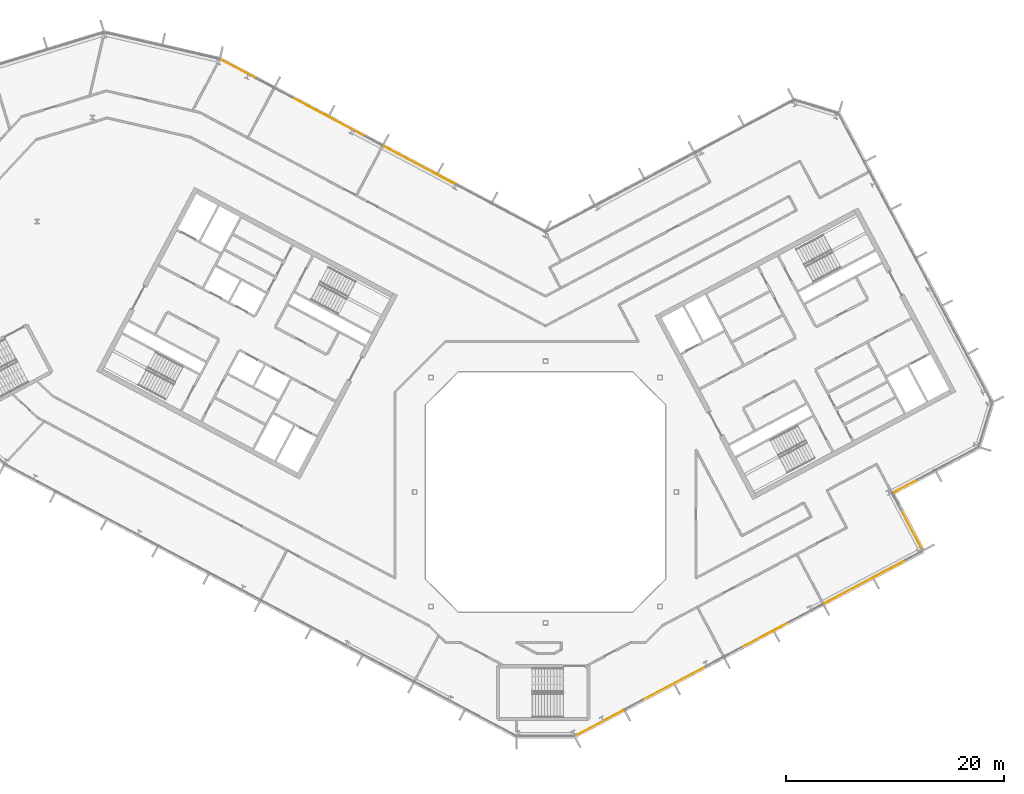
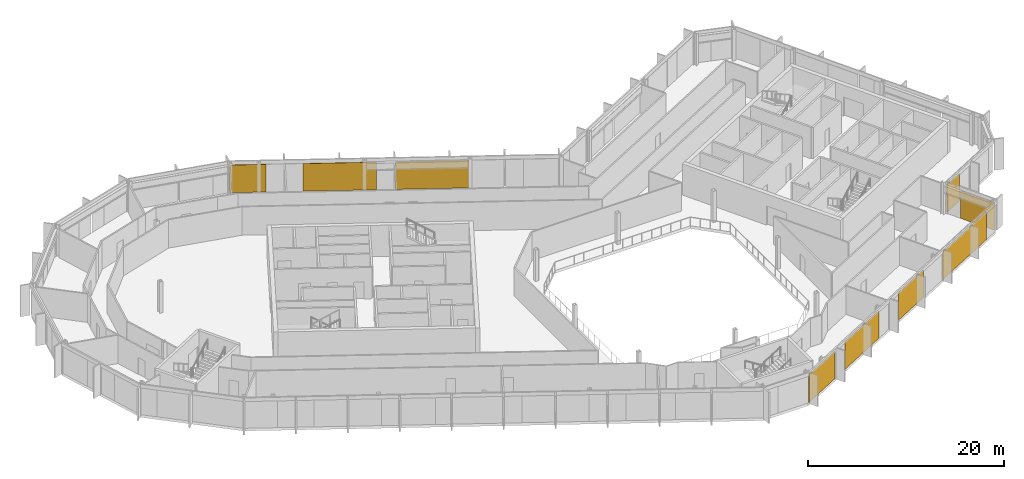
# One storey, part 24 of 26: 9 coverings, 4 elements without a shape of their own.
"""IFC4 building model written with IfcOpenShell, lengths in metres."""

from ifc_helpers import new_model, si_unit, direction, frame, origin, origin_2d, place, context, subcontext, project, spatial, rectangle, extrude, material, layer, layer_set, type_object, element, aggregate, save


model = new_model("IFC4")

# Units and contexts
model_context = context("Model", 3, precision=1e-05, world=origin(), true_north=direction((0.0, 1.0)))
body_context = subcontext(model_context, "Body", "Model", "MODEL_VIEW")
ifc_project = project(units=[si_unit("LENGTHUNIT", "METRE"), si_unit("AREAUNIT", "SQUARE_METRE"), si_unit("VOLUMEUNIT", "CUBIC_METRE"), si_unit("PLANEANGLEUNIT", "RADIAN"), si_unit("MASSUNIT", "GRAM", prefix="KILO")], contexts=[model_context])

# Site, building, storey
site_placement = place(None, origin())
site = spatial("IfcSite", under=ifc_project, at=site_placement, CompositionType="ELEMENT")
building_placement = place(site_placement, origin())
building = spatial("IfcBuilding", under=site, at=building_placement, Name="Cormorant Relay Tower", CompositionType="ELEMENT")
storey_placement = place(building_placement, frame((0.0, 0.0, 312.60009765625)))
storey = spatial("IfcBuildingStorey", under=building, at=storey_placement, Name="L71", CompositionType="ELEMENT", Elevation=312.60009765625)

# Curtain wall, coverings
ifc_material_1 = material(Name="Aluminium 6063-T6 anodised bronze", Category="aluminium")
ifc_layer_1 = layer(ifc_material_1, 0.199951171875)
ifc_layer_set_1 = layer_set([ifc_layer_1], Name="CW1 unitised bronze curtain wall with vertical fins")
curtain_wall_type = type_object("IfcCurtainWallType", Name="CW1 unitised bronze curtain wall with vertical fins", PredefinedType="NOTDEFINED", material=ifc_layer_set_1)
curtain_wall_1_placement = place(storey_placement, origin())
curtain_wall_1 = element("IfcCurtainWall", 1, at=curtain_wall_1_placement, inside=storey, type_object=curtain_wall_type, Name="CW1 curtain wall 2", PredefinedType="NOTDEFINED")
ifc_material_2 = material(Name="Pale bronze anodised aluminium insulated panel", Category="aluminium")
ifc_layer_2 = layer(ifc_material_2, 0.0400390625)
ifc_layer_set_2 = layer_set([ifc_layer_2], Name="CW1 pale bronze insulated panel 40")
covering_type = type_object("IfcCoveringType", Name="CW1 pale bronze insulated panel 40", PredefinedType="CLADDING", material=ifc_layer_set_2)
covering_1_placement = place(storey_placement, frame((4.939208984375, -21.180419921875, 0.0), z_axis=(0.0, 0.0, 1.0), x_axis=(0.882947592859, 0.469471562786, 0.0)))
covering_1 = element("IfcCovering", 2, at=covering_1_placement, type_object=covering_type, Name="CW1 panel S00", PredefinedType="CLADDING", context=body_context, shape_type="SweptSolid", body=[
    extrude(rectangle(XDim=5.0166015625, YDim=0.0400390625, at=origin_2d()), origin(), (0.0, 0.0, 1.0), 3.449951171875),
])
covering_2_placement = place(storey_placement, frame((11.78173828125, -17.5419921875, 0.0), z_axis=(0.0, 0.0, 1.0), x_axis=(0.882947592859, 0.469471562786, 0.0)))
covering_2 = element("IfcCovering", 3, at=covering_2_placement, type_object=covering_type, Name="CW1 panel S02", PredefinedType="CLADDING", context=body_context, shape_type="SweptSolid", body=[
    extrude(rectangle(XDim=6.5830078125, YDim=0.0400390625, at=origin_2d()), origin(), (0.0, 0.0, 1.0), 3.449951171875),
])
covering_3_placement = place(storey_placement, frame((20.11083984375, -13.113525390625, 0.0), z_axis=(0.0, 0.0, 1.0), x_axis=(0.882947592859, 0.469471562786, 0.0)))
covering_3 = element("IfcCovering", 4, at=covering_3_placement, type_object=covering_type, Name="CW1 panel S05", PredefinedType="CLADDING", context=body_context, shape_type="SweptSolid", body=[
    extrude(rectangle(XDim=4.783203125, YDim=0.0400390625, at=origin_2d()), origin(), (0.0, 0.0, 1.0), 3.449951171875),
])
covering_4_placement = place(storey_placement, frame((29.267578125, -8.244873046875, 0.0), z_axis=(0.0, 0.0, 1.0), x_axis=(0.882947592859, 0.469471562786, 0.0)))
covering_4 = element("IfcCovering", 5, at=covering_4_placement, type_object=covering_type, Name="CW1 panel S07", PredefinedType="CLADDING", context=body_context, shape_type="SweptSolid", body=[
    extrude(rectangle(XDim=8.4580078125, YDim=0.0400390625, at=origin_2d()), origin(), (0.0, 0.0, 1.0), 3.449951171875),
])
aggregate(curtain_wall_1, [covering_1, covering_2, covering_3, covering_4])

# Curtain wall, covering
curtain_wall_2_placement = place(storey_placement, origin())
curtain_wall_2 = element("IfcCurtainWall", 6, at=curtain_wall_2_placement, inside=storey, type_object=curtain_wall_type, Name="CW1 curtain wall 3", PredefinedType="NOTDEFINED")
covering_5_placement = place(storey_placement, frame((33.595703125, -3.5, 0.0), z_axis=(0.0, 0.0, 1.0), x_axis=(-0.469471562786, 0.882947592859, 0.0)))
covering_5 = element("IfcCovering", 7, at=covering_5_placement, type_object=covering_type, Name="CW1 panel S00", PredefinedType="CLADDING", context=body_context, shape_type="SweptSolid", body=[
    extrude(rectangle(XDim=4.125, YDim=0.0400390625, at=origin_2d()), origin(), (0.0, 0.0, 1.0), 3.449951171875),
])
aggregate(curtain_wall_2, [covering_5])

curtain_wall_3_placement = place(storey_placement, origin())
curtain_wall_3 = element("IfcCurtainWall", 8, at=curtain_wall_3_placement, inside=storey, type_object=curtain_wall_type, Name="CW1 curtain wall 4", PredefinedType="NOTDEFINED")
covering_6_placement = place(storey_placement, frame((32.9990234375, 0.53466796875, 0.0), z_axis=(0.0, 0.0, 1.0), x_axis=(0.882947592859, 0.469471562786, 0.0)))
covering_6 = element("IfcCovering", 9, at=covering_6_placement, type_object=covering_type, Name="CW1 panel S00", PredefinedType="CLADDING", context=body_context, shape_type="SweptSolid", body=[
    extrude(rectangle(XDim=2.47509765625, YDim=0.0400390625, at=origin_2d()), origin(), (0.0, 0.0, 1.0), 3.449951171875),
])
aggregate(curtain_wall_3, [covering_6])

# Curtain wall, coverings
curtain_wall_4_placement = place(storey_placement, origin())
curtain_wall_4 = element("IfcCurtainWall", 10, at=curtain_wall_4_placement, inside=storey, type_object=curtain_wall_type, Name="CW1 curtain wall 9", PredefinedType="NOTDEFINED")
covering_7_placement = place(storey_placement, frame((-11.537841796875, 29.94140625, 0.0), z_axis=(0.0, 0.0, 1.0), x_axis=(-0.882947592859, 0.469471562786, 0.0)))
covering_7 = element("IfcCovering", 11, at=covering_7_placement, type_object=covering_type, Name="CW1 panel S03", PredefinedType="CLADDING", context=body_context, shape_type="SweptSolid", body=[
    extrude(rectangle(XDim=7.528076171875, YDim=0.0400390625, at=origin_2d()), origin(), (0.0, 0.0, 1.0), 3.449951171875),
])
covering_8_placement = place(storey_placement, frame((-19.906494140625, 34.39111328125, 0.0), z_axis=(0.0, 0.0, 1.0), x_axis=(-0.882947592859, 0.469471562786, 0.0)))
covering_8 = element("IfcCovering", 12, at=covering_8_placement, type_object=covering_type, Name="CW1 panel S05", PredefinedType="CLADDING", context=body_context, shape_type="SweptSolid", body=[
    extrude(rectangle(XDim=7.528076171875, YDim=0.0400390625, at=origin_2d()), origin(), (0.0, 0.0, 1.0), 3.449951171875),
])
covering_9_placement = place(storey_placement, frame((-28.20263671875, 38.80224609375, 0.0), z_axis=(0.0, 0.0, 1.0), x_axis=(-0.882947592859, 0.469471562786, 0.0)))
covering_9 = element("IfcCovering", 13, at=covering_9_placement, type_object=covering_type, Name="CW1 panel S08", PredefinedType="CLADDING", context=body_context, shape_type="SweptSolid", body=[
    extrude(rectangle(XDim=3.763916015625, YDim=0.0400390625, at=origin_2d()), origin(), (0.0, 0.0, 1.0), 3.449951171875),
])
aggregate(curtain_wall_4, [covering_7, covering_8, covering_9])

save(model, "model.ifc")
